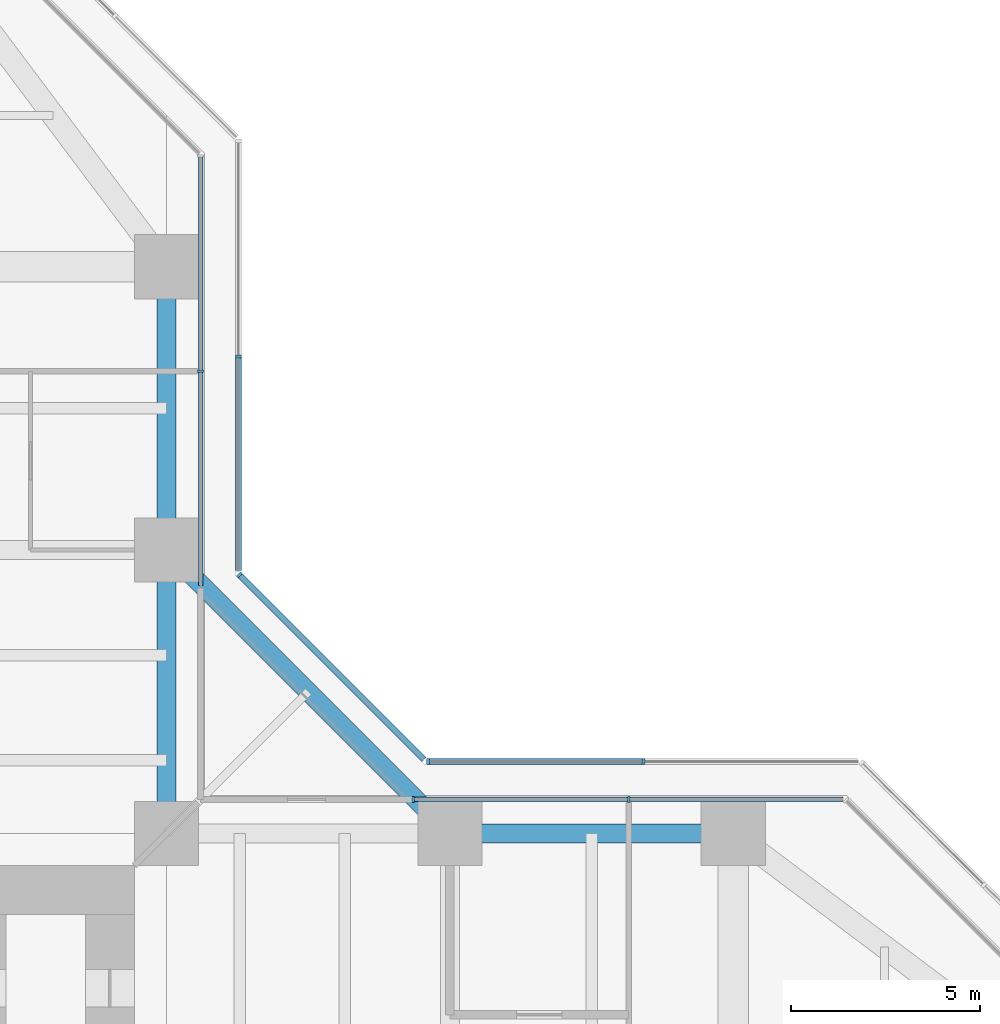
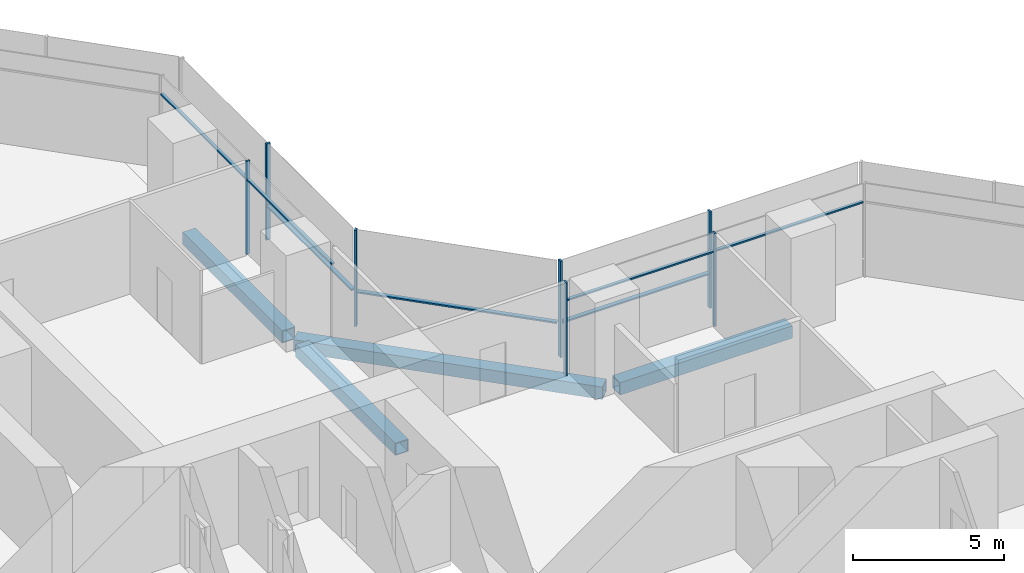
# One storey, part 11 of 22: 14 members, 4 beams, 5 elements without a shape of their own.
"""IFC4 building model written with IfcOpenShell, lengths in metres."""

import ifcopenshell
import ifcopenshell.guid

model = None  # the IFC model being written
_history = None  # IfcOwnerHistory: only IFC2X3 demands one
_inside = {}  # id of a spatial element -> (the spatial element, [elements in it])
_under = {}  # id of a project, library or spatial element -> (it, [spatial elements below it])
_declared = {}  # id of a project -> (the project, [libraries it declares])
_typed = {}  # id of a type object -> (the type object, [elements of that type])
_made_of = {}  # id of a material, layer set ... -> (it, [elements and type objects made of it])


def new_model(schema):
    """Start an empty IFC model of exactly this schema.

    Asked for "IFC4X3", IfcOpenShell would pick the latest addendum, in which some entities
    have other attributes; the version numbers below select the first issue.
    IFC2X3 requires an IfcOwnerHistory on every rooted entity: one is made here for all.
    """
    global model, _history
    if schema == "IFC4X3":
        model = ifcopenshell.file(schema_version=(4, 3, 0, 0))
    else:
        model = ifcopenshell.file(schema=schema)
    _inside.clear()
    _under.clear()
    _declared.clear()
    _typed.clear()
    _made_of.clear()
    _history = None
    if model.schema == "IFC2X3":
        org = make("IfcOrganization", Name="unknown")
        user = make(
            "IfcPersonAndOrganization",
            ThePerson=make("IfcPerson", FamilyName="unknown"),
            TheOrganization=org,
        )
        app = make(
            "IfcApplication",
            ApplicationDeveloper=org,
            Version="unknown",
            ApplicationFullName="unknown",
            ApplicationIdentifier="unknown",
        )
        _history = make(
            "IfcOwnerHistory",
            OwningUser=user,
            OwningApplication=app,
            ChangeAction="ADDED",
            CreationDate=0,
        )
    return model


def make(cls, **values):
    """One entity of the class cls with the attributes given. An attribute that is None is left unset."""
    return model.create_entity(
        cls, **{name: value for name, value in values.items() if value is not None}
    )


def rooted(cls, **values):
    """An entity with a GlobalId (a new one), such as an element, a storey or a relation."""
    return make(cls, GlobalId=ifcopenshell.guid.new(), OwnerHistory=_history, **values)


def si_unit(unit_type, name, prefix=None):
    """IfcSIUnit, for example si_unit("LENGTHUNIT", "METRE", prefix="MILLI")."""
    return make("IfcSIUnit", UnitType=unit_type, Prefix=prefix, Name=name)


def assignment(units):
    """IfcUnitAssignment: the units of a project."""
    return None if units is None else make("IfcUnitAssignment", Units=units)


def point(xyz):
    """IfcCartesianPoint."""
    return None if xyz is None else make("IfcCartesianPoint", Coordinates=xyz)


def direction(xyz):
    """IfcDirection."""
    return None if xyz is None else make("IfcDirection", DirectionRatios=xyz)


def frame(location, z_axis=None, x_axis=None):
    """IfcAxis2Placement3D, a coordinate frame: its origin and axes. An axis left out is left unset."""
    return make(
        "IfcAxis2Placement3D",
        Location=point(location),
        Axis=direction(z_axis),
        RefDirection=direction(x_axis),
    )


def frame_2d(location, x_axis=None):
    """IfcAxis2Placement2D, a coordinate frame in the plane: its origin and x axis."""
    return make(
        "IfcAxis2Placement2D", Location=point(location), RefDirection=direction(x_axis)
    )


def origin():
    """The frame at (0, 0, 0) with its axes left unset."""
    return frame((0.0, 0.0, 0.0))


def origin_2d():
    """The frame at (0, 0) in the plane with its x axis left unset."""
    return frame_2d((0.0, 0.0))


def place(relative_to, where):
    """IfcLocalPlacement: puts the frame where relative to a parent placement (None: the world)."""
    return make(
        "IfcLocalPlacement", PlacementRelTo=relative_to, RelativePlacement=where
    )


def context(
    kind, dimensions, precision=None, world=None, true_north=None, identifier=None
):
    """IfcGeometricRepresentationContext, for example the 3D "Model" context."""
    return make(
        "IfcGeometricRepresentationContext",
        ContextIdentifier=identifier,
        ContextType=kind,
        CoordinateSpaceDimension=dimensions,
        Precision=precision,
        WorldCoordinateSystem=world,
        TrueNorth=true_north,
    )


def subcontext(parent, identifier, kind, view, scale=None):
    """IfcGeometricRepresentationSubContext, for example "Body" below "Model"."""
    return make(
        "IfcGeometricRepresentationSubContext",
        ContextIdentifier=identifier,
        ContextType=kind,
        ParentContext=parent,
        TargetScale=scale,
        TargetView=view,
    )


def project(units=None, contexts=None):
    """IfcProject with its units and contexts."""
    return rooted(
        "IfcProject",
        Name="project",
        RepresentationContexts=contexts,
        UnitsInContext=assignment(units),
    )


def spatial(cls, under=None, at=None, **own):
    """A site, building, storey or space (cls), placed at a placement, below another one or the project."""
    s = rooted(cls, ObjectPlacement=at, **own)
    if under is not None:
        _under.setdefault(under.id(), (under, []))[1].append(s)
    return s


def profile(cls, at=None, kind="AREA", **sizes):
    """A parametric profile (cls). Its sizes go by their IFC names, for example OverallWidth=200.0."""
    return make(cls, ProfileType=kind, Position=at, **sizes)


def rectangle(**sizes):
    """IfcRectangleProfileDef."""
    return profile("IfcRectangleProfileDef", **sizes)


def hollow_rectangle(**sizes):
    """IfcRectangleHollowProfileDef."""
    return profile("IfcRectangleHollowProfileDef", **sizes)


def extrude(swept, where, along, depth):
    """IfcExtrudedAreaSolid: the profile swept, set in the frame where, extruded along a direction by depth."""
    return make(
        "IfcExtrudedAreaSolid",
        SweptArea=swept,
        Position=where,
        ExtrudedDirection=direction(along),
        Depth=depth,
    )


def shape(context_of_items, identifier, shape_type, items):
    """IfcShapeRepresentation: the items that make up one representation, for example the "Body"."""
    return make(
        "IfcShapeRepresentation",
        ContextOfItems=context_of_items,
        RepresentationIdentifier=identifier,
        RepresentationType=shape_type,
        Items=items,
    )


def material(Name=None, Category=None):
    """IfcMaterial."""
    return make("IfcMaterial", Name=Name, Category=Category)


def material_profile(
    of_material, cross_section, Name=None, Category=None, Priority=None
):
    """IfcMaterialProfile: a cross section and its material."""
    return make(
        "IfcMaterialProfile",
        Name=Name,
        Material=of_material,
        Profile=cross_section,
        Priority=Priority,
        Category=Category,
    )


def profile_set(profiles, Name=None, composite=None):
    """IfcMaterialProfileSet."""
    return make(
        "IfcMaterialProfileSet",
        Name=Name,
        MaterialProfiles=profiles,
        CompositeProfile=composite,
    )


def made_of(thing, what):
    """Note that an element or type object is made of a material, layer set ...; save() writes the relation."""
    if what is not None:
        _made_of.setdefault(what.id(), (what, []))[1].append(thing)
    return thing


def type_object(cls, material=None, **own):
    """A type object (cls), such as IfcWallType, which elements share."""
    return made_of(rooted(cls, **own), material)


def element(
    cls,
    number,
    at=None,
    inside=None,
    cuts=None,
    type_object=None,
    material=None,
    context=None,
    identifier="Body",
    shape_type=None,
    held_by="IfcProductDefinitionShape",
    body=None,
    shapes=None,
    **own,
):
    """One element of the class cls, such as IfcWall. Its Tag is "e" and its number.

    at: its placement. inside: the storey or other place that contains it. cuts: it is an
    opening in that element (IfcRelVoidsElement). A single representation is given by context,
    identifier, shape_type and body (its items); several are given by shapes. held_by: the class
    of the entity that holds the representations. save() writes the other relations.
    """
    e = rooted(cls, Tag="e%d" % number, ObjectPlacement=at, **own)
    if body is not None:
        shapes = [shape(context, identifier, shape_type, body)]
    if shapes is not None:
        e.Representation = make(held_by, Representations=shapes)
    if inside is not None:
        _inside.setdefault(inside.id(), (inside, []))[1].append(e)
    if cuts is not None:
        rooted(
            "IfcRelVoidsElement", RelatingBuildingElement=cuts, RelatedOpeningElement=e
        )
    if type_object is not None:
        _typed.setdefault(type_object.id(), (type_object, []))[1].append(e)
    return made_of(e, material)


def aggregate(whole, parts):
    """IfcRelAggregates: a whole, such as a stair, and the parts it consists of."""
    return rooted("IfcRelAggregates", RelatingObject=whole, RelatedObjects=parts)


def save(model, path):
    """Write the relations noted so far, then the file.

    IfcRelAggregates (storeys below a building ...), IfcRelContainedInSpatialStructure (elements
    in a storey), IfcRelDefinesByType, IfcRelAssociatesMaterial and IfcRelDeclares: one each for
    every whole, place, type object, material and project.
    """
    for whole, parts in _under.values():
        aggregate(whole, parts)
    for where, things in _inside.values():
        rooted(
            "IfcRelContainedInSpatialStructure",
            RelatedElements=things,
            RelatingStructure=where,
        )
    for kind, things in _typed.values():
        rooted("IfcRelDefinesByType", RelatedObjects=things, RelatingType=kind)
    for what, things in _made_of.values():
        rooted("IfcRelAssociatesMaterial", RelatedObjects=things, RelatingMaterial=what)
    for by, libraries in _declared.values():
        rooted("IfcRelDeclares", RelatingContext=by, RelatedDefinitions=libraries)
    model.write(path)


model = new_model("IFC4")

# Units and contexts
model_context = context("Model", 3, precision=1e-05, world=origin(), true_north=direction((0.0, 1.0)))
body_context = subcontext(model_context, "Body", "Model", "MODEL_VIEW")
ifc_project = project(units=[si_unit("LENGTHUNIT", "METRE"), si_unit("AREAUNIT", "SQUARE_METRE"), si_unit("VOLUMEUNIT", "CUBIC_METRE"), si_unit("PLANEANGLEUNIT", "RADIAN"), si_unit("MASSUNIT", "GRAM", prefix="KILO")], contexts=[model_context])

# Site, building, storey
site_placement = place(None, origin())
site = spatial("IfcSite", under=ifc_project, at=site_placement, CompositionType="ELEMENT")
building_placement = place(site_placement, origin())
building = spatial("IfcBuilding", under=site, at=building_placement, Name="Mizan Broadcast Tower", CompositionType="ELEMENT")
storey_placement = place(building_placement, frame((0.0, 0.0, 82.5)))
storey = spatial("IfcBuildingStorey", under=building, at=storey_placement, Name="L17", CompositionType="ELEMENT", Elevation=82.5)

# Beams
ifc_material_1 = material(Name="Steel S355", Category="steel")
ifc_material_profile_1 = material_profile(ifc_material_1, hollow_rectangle(XDim=0.5, YDim=0.5, WallThickness=0.030029296875, at=origin_2d()), Name="BOX 500x500x30")
ifc_profile_set_1 = profile_set([ifc_material_profile_1], Name="Steel S355")
beam_type = type_object("IfcBeamType", Name="EDGE BEAM BOX 500x500x30", PredefinedType="SPANDREL", material=ifc_profile_set_1)
for number, where, z_axis, x_axis, name in (
    (1, (19.949951171875, 12.0, -0.3798828125), (1.0, 0.0, 0.0), (0.0, 1.0, 0.0), "Edge beam BOX 500x500x30 L17 east arm"),
    (2, (12.0, 12.449951171875, -0.3798828125), (0.0, 1.0, 0.0), (-1.0, 0.0, 0.0), "Edge beam BOX 500x500x30 L17 north arm"),
    (3, (12.0, 19.949951171875, -0.3798828125), (0.0, 1.0, 0.0), (-1.0, 0.0, 0.0), "Edge beam BOX 500x500x30 L17 north arm"),
):
    element("IfcBeam", number, at=place(storey_placement, frame(where, z_axis=z_axis, x_axis=x_axis)), inside=storey, type_object=beam_type, Name=name, PredefinedType="SPANDREL", context=body_context, shape_type="SweptSolid", body=[
        extrude(hollow_rectangle(XDim=0.5, YDim=0.5, WallThickness=0.030029296875, at=origin_2d()), origin(), (0.0, 0.0, 1.0), 6.60009765625),
    ])
beam_placement = place(storey_placement, frame((19.5, 12.0, -0.3798828125), z_axis=(-0.707106781187, 0.707106781187, 0.0), x_axis=(-0.707106781187, -0.707106781187, 0.0)))
element("IfcBeam", 4, at=beam_placement, inside=storey, type_object=beam_type, Name="Winter garden edge beam L17 E", PredefinedType="SPANDREL", context=body_context, shape_type="SweptSolid", body=[
    extrude(hollow_rectangle(XDim=0.5, YDim=0.5, WallThickness=0.030029296875, at=origin_2d()), origin(), (0.0, 0.0, 1.0), 10.606689453125),
])

# Curtain wall, members
ifc_material_2 = material(Name="Aluminium framed glazing", Category="aluminium")
curtain_wall_type_1 = type_object("IfcCurtainWallType", Name="INNER SKIN LOW ZONE", PredefinedType="USERDEFINED", material=ifc_material_2)
curtain_wall_1_placement = place(storey_placement, origin())
curtain_wall_1 = element("IfcCurtainWall", 5, at=curtain_wall_1_placement, inside=storey, type_object=curtain_wall_type_1, Name="Inner skin low zone L17 E side", ObjectType="INNER SKIN LOW ZONE", PredefinedType="USERDEFINED")
ifc_material_3 = material(Name="Aluminium, pale anodised", Category="aluminium")
ifc_material_profile_2 = material_profile(ifc_material_3, rectangle(XDim=0.159912109375, YDim=0.06005859375, at=origin_2d()), Name="MULLION 160x60")
ifc_profile_set_2 = profile_set([ifc_material_profile_2], Name="Aluminium, pale anodised")
member_type_1 = type_object("IfcMemberType", Name="INNER SKIN MULLION 60x160", PredefinedType="MULLION", material=ifc_profile_set_2)
member_1_placement = place(storey_placement, frame((24.229248046875, 12.89990234375, 0.0), z_axis=(0.0, 0.0, 1.0), x_axis=(0.0, -1.0, 0.0)))
member_1 = element("IfcMember", 6, at=member_1_placement, type_object=member_type_1, Name="Inner skin low zone L17 E side mullion 2", PredefinedType="MULLION", context=body_context, shape_type="SweptSolid", body=[
    extrude(rectangle(XDim=0.159912109375, YDim=0.06005859375, at=origin_2d()), origin(), (0.0, 0.0, 1.0), 3.77001953125),
])
member_2_placement = place(storey_placement, frame((18.530029296875, 12.89990234375, 0.0), z_axis=(0.0, 0.0, 1.0), x_axis=(0.0, -1.0, 0.0)))
member_2 = element("IfcMember", 7, at=member_2_placement, type_object=member_type_1, Name="Inner skin low zone L17 E side mullion 3", PredefinedType="MULLION", context=body_context, shape_type="SweptSolid", body=[
    extrude(rectangle(XDim=0.159912109375, YDim=0.06005859375, at=origin_2d()), origin(), (0.0, 0.0, 1.0), 3.77001953125),
])

# Curtain wall, member
curtain_wall_2_placement = place(storey_placement, origin())
curtain_wall_2 = element("IfcCurtainWall", 8, at=curtain_wall_2_placement, inside=storey, type_object=curtain_wall_type_1, Name="Inner skin low zone L17 N side", ObjectType="INNER SKIN LOW ZONE", PredefinedType="USERDEFINED")
member_3_placement = place(storey_placement, frame((12.89990234375, 24.229248046875, 0.0), z_axis=(0.0, 0.0, 1.0), x_axis=(-1.0, 0.0, 0.0)))
member_3 = element("IfcMember", 9, at=member_3_placement, type_object=member_type_1, Name="Inner skin low zone L17 N side mullion 2", PredefinedType="MULLION", context=body_context, shape_type="SweptSolid", body=[
    extrude(rectangle(XDim=0.159912109375, YDim=0.06005859375, at=origin_2d()), origin(), (0.0, 0.0, 1.0), 3.77001953125),
])

# Member
ifc_material_4 = material(Name="Aluminium, pale anodised", Category="aluminium")
ifc_material_profile_3 = material_profile(ifc_material_4, rectangle(XDim=0.1201171875, YDim=0.06005859375, at=origin_2d()), Name="TRANSOM 120x60")
ifc_profile_set_3 = profile_set([ifc_material_profile_3], Name="Aluminium, pale anodised")
member_type_2 = type_object("IfcMemberType", Name="INNER SKIN TRANSOM 60x120", PredefinedType="USERDEFINED", material=ifc_profile_set_3)
member_4_placement = place(storey_placement, frame((29.898681640625, 12.89990234375, 3.030029296875), z_axis=(-1.0, 0.0, 0.0), x_axis=(0.0, -1.0, 0.0)))
member_4 = element("IfcMember", 10, at=member_4_placement, type_object=member_type_2, Name="Inner skin low zone L17 E side transom 1.1", ObjectType="TRANSOM", PredefinedType="USERDEFINED", context=body_context, shape_type="SweptSolid", body=[
    extrude(rectangle(XDim=0.1201171875, YDim=0.06005859375, at=origin_2d()), origin(), (0.0, 0.0, 1.0), 5.639404296875),
])

member_5_placement = place(storey_placement, frame((24.19921875, 12.89990234375, 3.030029296875), z_axis=(-1.0, 0.0, 0.0), x_axis=(0.0, -1.0, 0.0)))
member_5 = element("IfcMember", 11, at=member_5_placement, type_object=member_type_2, Name="Inner skin low zone L17 E side transom 2.1", ObjectType="TRANSOM", PredefinedType="USERDEFINED", context=body_context, shape_type="SweptSolid", body=[
    extrude(rectangle(XDim=0.1201171875, YDim=0.06005859375, at=origin_2d()), origin(), (0.0, 0.0, 1.0), 5.63916015625),
])

aggregate(curtain_wall_1, [member_1, member_2, member_4, member_5])

member_6_placement = place(storey_placement, frame((12.89990234375, 18.56005859375, 3.030029296875), z_axis=(0.0, 1.0, 0.0), x_axis=(-1.0, 0.0, 0.0)))
member_6 = element("IfcMember", 12, at=member_6_placement, type_object=member_type_2, Name="Inner skin low zone L17 N side transom 1.1", ObjectType="TRANSOM", PredefinedType="USERDEFINED", context=body_context, shape_type="SweptSolid", body=[
    extrude(rectangle(XDim=0.1201171875, YDim=0.06005859375, at=origin_2d()), origin(), (0.0, 0.0, 1.0), 5.63916015625),
])

member_7_placement = place(storey_placement, frame((12.89990234375, 24.25927734375, 3.030029296875), z_axis=(0.0, 1.0, 0.0), x_axis=(-1.0, 0.0, 0.0)))
member_7 = element("IfcMember", 13, at=member_7_placement, type_object=member_type_2, Name="Inner skin low zone L17 N side transom 2.1", ObjectType="TRANSOM", PredefinedType="USERDEFINED", context=body_context, shape_type="SweptSolid", body=[
    extrude(rectangle(XDim=0.1201171875, YDim=0.06005859375, at=origin_2d()), origin(), (0.0, 0.0, 1.0), 5.639404296875),
])

aggregate(curtain_wall_2, [member_3, member_6, member_7])

# Curtain wall, members
ifc_material_5 = material(Name="Aluminium framed glazing", Category="aluminium")
curtain_wall_type_2 = type_object("IfcCurtainWallType", Name="OUTER SKIN", PredefinedType="USERDEFINED", material=ifc_material_5)
curtain_wall_3_placement = place(storey_placement, origin())
curtain_wall_3 = element("IfcCurtainWall", 14, at=curtain_wall_3_placement, inside=storey, type_object=curtain_wall_type_2, Name="Outer skin L17 E side", ObjectType="OUTER SKIN", PredefinedType="USERDEFINED")
ifc_material_6 = material(Name="Aluminium, pale anodised", Category="aluminium")
ifc_material_profile_4 = material_profile(ifc_material_6, rectangle(XDim=0.159912109375, YDim=0.080078125, at=origin_2d()), Name="MULLION 160x80")
ifc_profile_set_4 = profile_set([ifc_material_profile_4], Name="Aluminium, pale anodised")
member_type_3 = type_object("IfcMemberType", Name="OUTER SKIN MULLION 80x160", PredefinedType="MULLION", material=ifc_profile_set_4)
member_8_placement = place(storey_placement, frame((24.622802734375, 13.89990234375, 0.0), z_axis=(0.0, 0.0, 1.0), x_axis=(0.0, -1.0, 0.0)))
member_8 = element("IfcMember", 15, at=member_8_placement, type_object=member_type_3, Name="Outer skin L17 E side mullion 2", PredefinedType="MULLION", context=body_context, shape_type="SweptSolid", body=[
    extrude(rectangle(XDim=0.159912109375, YDim=0.080078125, at=origin_2d()), origin(), (0.0, 0.0, 1.0), 3.89990234375),
])
member_9_placement = place(storey_placement, frame((18.912841796875, 13.89990234375, 0.0), z_axis=(0.0, 0.0, 1.0), x_axis=(0.0, -1.0, 0.0)))
member_9 = element("IfcMember", 16, at=member_9_placement, type_object=member_type_3, Name="Outer skin L17 E side mullion 3", PredefinedType="MULLION", context=body_context, shape_type="SweptSolid", body=[
    extrude(rectangle(XDim=0.159912109375, YDim=0.080078125, at=origin_2d()), origin(), (0.0, 0.0, 1.0), 3.89990234375),
])

# Curtain wall, member
curtain_wall_4_placement = place(storey_placement, origin())
curtain_wall_4 = element("IfcCurtainWall", 17, at=curtain_wall_4_placement, inside=storey, type_object=curtain_wall_type_2, Name="Outer skin L17 E chamfer", ObjectType="OUTER SKIN", PredefinedType="USERDEFINED")
member_10_placement = place(storey_placement, frame((13.92822265625, 18.844482421875, 0.0), z_axis=(0.0, 0.0, 1.0), x_axis=(-0.707106781187, -0.707106781187, 0.0)))
member_10 = element("IfcMember", 18, at=member_10_placement, type_object=member_type_3, Name="Outer skin L17 E chamfer mullion 2", PredefinedType="MULLION", context=body_context, shape_type="SweptSolid", body=[
    extrude(rectangle(XDim=0.159912109375, YDim=0.080078125, at=origin_2d()), origin(), (0.0, 0.0, 1.0), 3.89990234375),
])

curtain_wall_5_placement = place(storey_placement, origin())
curtain_wall_5 = element("IfcCurtainWall", 19, at=curtain_wall_5_placement, inside=storey, type_object=curtain_wall_type_2, Name="Outer skin L17 N side", ObjectType="OUTER SKIN", PredefinedType="USERDEFINED")
member_11_placement = place(storey_placement, frame((13.89990234375, 24.622802734375, 0.0), z_axis=(0.0, 0.0, 1.0), x_axis=(-1.0, 0.0, 0.0)))
member_11 = element("IfcMember", 20, at=member_11_placement, type_object=member_type_3, Name="Outer skin L17 N side mullion 2", PredefinedType="MULLION", context=body_context, shape_type="SweptSolid", body=[
    extrude(rectangle(XDim=0.159912109375, YDim=0.080078125, at=origin_2d()), origin(), (0.0, 0.0, 1.0), 3.89990234375),
])

# Member
ifc_material_7 = material(Name="Aluminium, pale anodised", Category="aluminium")
ifc_material_profile_5 = material_profile(ifc_material_7, rectangle(XDim=0.159912109375, YDim=0.06005859375, at=origin_2d()), Name="TRANSOM 160x60")
ifc_profile_set_5 = profile_set([ifc_material_profile_5], Name="Aluminium, pale anodised")
member_type_4 = type_object("IfcMemberType", Name="OUTER SKIN TRANSOM 60x160", PredefinedType="USERDEFINED", material=ifc_profile_set_5)
member_12_placement = place(storey_placement, frame((24.582763671875, 13.89990234375, 1.39990234375), z_axis=(-1.0, 0.0, 0.0), x_axis=(0.0, -1.0, 0.0)))
member_12 = element("IfcMember", 21, at=member_12_placement, type_object=member_type_4, Name="Outer skin L17 E side transom 2.1", ObjectType="TRANSOM", PredefinedType="USERDEFINED", context=body_context, shape_type="SweptSolid", body=[
    extrude(rectangle(XDim=0.159912109375, YDim=0.06005859375, at=origin_2d()), origin(), (0.0, 0.0, 1.0), 5.6298828125),
])

aggregate(curtain_wall_3, [member_8, member_9, member_12])

member_13_placement = place(storey_placement, frame((18.816162109375, 13.95654296875, 1.39990234375), z_axis=(-0.707106781187, 0.707106781187, 0.0), x_axis=(-0.707106781187, -0.707106781187, 0.0)))
member_13 = element("IfcMember", 22, at=member_13_placement, type_object=member_type_4, Name="Outer skin L17 E chamfer transom 1.1", ObjectType="TRANSOM", PredefinedType="USERDEFINED", context=body_context, shape_type="SweptSolid", body=[
    extrude(rectangle(XDim=0.159912109375, YDim=0.06005859375, at=origin_2d()), origin(), (0.0, 0.0, 1.0), 6.87255859375),
])

aggregate(curtain_wall_4, [member_10, member_13])

member_14_placement = place(storey_placement, frame((13.89990234375, 18.952880859375, 1.39990234375), z_axis=(0.0, 1.0, 0.0), x_axis=(-1.0, 0.0, 0.0)))
member_14 = element("IfcMember", 23, at=member_14_placement, type_object=member_type_4, Name="Outer skin L17 N side transom 1.1", ObjectType="TRANSOM", PredefinedType="USERDEFINED", context=body_context, shape_type="SweptSolid", body=[
    extrude(rectangle(XDim=0.159912109375, YDim=0.06005859375, at=origin_2d()), origin(), (0.0, 0.0, 1.0), 5.6298828125),
])

aggregate(curtain_wall_5, [member_11, member_14])

save(model, "model.ifc")
